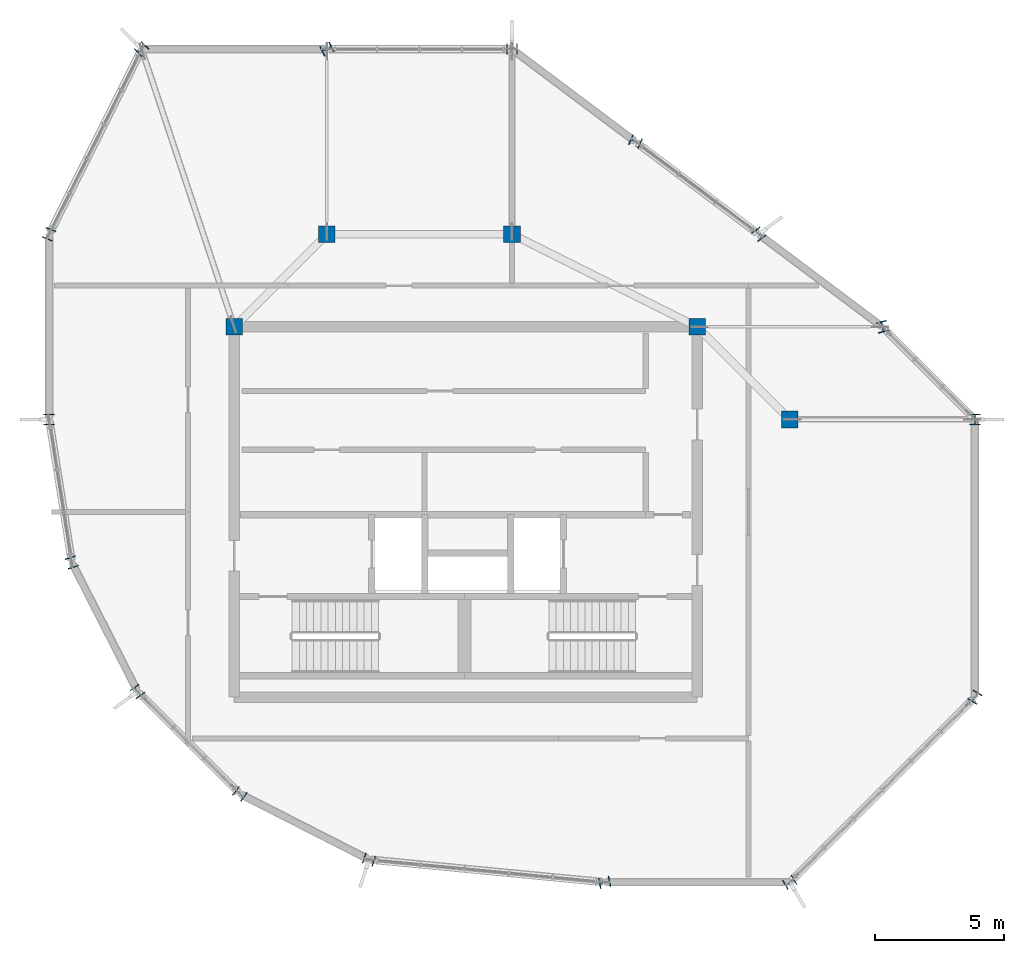
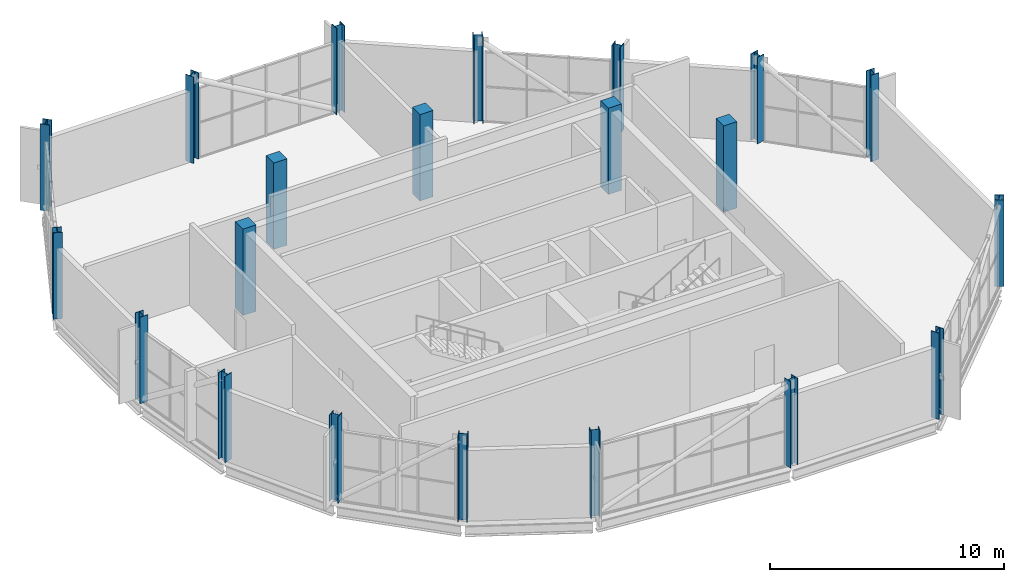
# One storey, part 1 of 22: 21 columns.
"""IFC4 building model written with IfcOpenShell, lengths in metres."""

from ifc_helpers import new_model, si_unit, direction, frame, origin, origin_2d, place, context, subcontext, project, spatial, rectangle, i_section, extrude, material, material_profile, profile_set, type_object, element, save


model = new_model("IFC4")

# Units and contexts
model_context = context("Model", 3, precision=1e-05, world=origin(), true_north=direction((0.0, 1.0)))
body_context = subcontext(model_context, "Body", "Model", "MODEL_VIEW")
ifc_project = project(units=[si_unit("LENGTHUNIT", "METRE"), si_unit("AREAUNIT", "SQUARE_METRE"), si_unit("VOLUMEUNIT", "CUBIC_METRE"), si_unit("PLANEANGLEUNIT", "RADIAN"), si_unit("MASSUNIT", "GRAM", prefix="KILO")], contexts=[model_context])

# Site, building, storey
site_placement = place(None, origin())
site = spatial("IfcSite", under=ifc_project, at=site_placement, CompositionType="ELEMENT")
building_placement = place(site_placement, origin())
building = spatial("IfcBuilding", under=site, at=building_placement, Name="Solnavia Interchange Tower", CompositionType="ELEMENT")
storey_placement = place(building_placement, frame((0.0, 0.0, 317.699951171875)))
storey = spatial("IfcBuildingStorey", under=building, at=storey_placement, Name="C04", CompositionType="ELEMENT", Elevation=317.699951171875)

# Columns
ifc_material_1 = material(Name="Concrete C50/60", Category="concrete")
ifc_material_profile_1 = material_profile(ifc_material_1, rectangle(XDim=0.64990234375, YDim=0.64990234375, at=origin_2d()), Name="RC 650x650")
ifc_profile_set_1 = profile_set([ifc_material_profile_1], Name="Concrete C50/60")
column_type_1 = type_object("IfcColumnType", Name="Col-RC-650x650", PredefinedType="COLUMN", material=ifc_profile_set_1)
for number, where, z_axis, x_axis, name in (
    (1, (36.0, 21.60009765625, 0.0), (0.0, 0.0, 1.0), (1.0, 0.0, 0.0), "COL-C04-IN01 Crown inner plant column"),
    (2, (32.39990234375, 25.199951171875, 0.0), (0.0, 0.0, 1.0), (1.0, 0.0, 0.0), "COL-C04-IN02 Crown inner plant column"),
    (3, (25.199951171875, 28.800048828125, 0.0), (0.0, 0.0, 1.0), (1.0, 0.0, 0.0), "COL-C04-IN03 Crown inner plant column"),
    (4, (18.0, 28.800048828125, 0.0), (0.0, 0.0, 1.0), (1.0, 0.0, 0.0), "COL-C04-IN04 Crown inner plant column"),
    (5, (14.39990234375, 25.199951171875, 0.0), (0.0, 0.0, 1.0), (1.0, 0.0, 0.0), "COL-C04-IN05 Crown inner plant column"),
):
    element("IfcColumn", number, at=place(storey_placement, frame(where, z_axis=z_axis, x_axis=x_axis)), inside=storey, type_object=column_type_1, Name=name, PredefinedType="COLUMN", context=body_context, shape_type="SweptSolid", body=[
        extrude(rectangle(XDim=0.64990234375, YDim=0.64990234375, at=origin_2d()), origin(), (0.0, 0.0, 1.0), 4.5),
    ])
ifc_material_2 = material(Name="Steel S460", Category="steel")
ifc_material_profile_2 = material_profile(ifc_material_2, i_section(OverallWidth=0.405029296875, OverallDepth=0.4169921875, WebThickness=0.01806640625, FlangeThickness=0.028564453125, FilletRadius=0.014892578125, at=origin_2d()), Name="HD 400x262")
ifc_profile_set_2 = profile_set([ifc_material_profile_2], Name="Steel S460")
column_type_2 = type_object("IfcColumnType", Name="CrownFrame-Col-HD400x262", PredefinedType="COLUMN", material=ifc_profile_set_2)
for number, where, z_axis, x_axis, name in (
    (6, (43.199951171875, 21.60009765625, 0.0), (0.0, 0.0, 1.0), (1.0, 0.0, 0.0), "COL-C04-CF01 CROWN FRAME ring column"),
    (7, (39.60009765625, 25.199951171875, 0.0), (0.0, 0.0, 1.0), (0.97012659649, 0.242599230795, 0.0), "COL-C04-CF02 CROWN FRAME ring column"),
    (8, (34.800048828125, 28.800048828125, 0.0), (0.0, 0.0, 1.0), (0.799998928149, 0.600001429133, 0.0), "COL-C04-CF03 CROWN FRAME ring column"),
    (9, (30.0, 32.39990234375, 0.0), (0.0, 0.0, 1.0), (0.406098768964, 0.913829190738, 0.0), "COL-C04-CF04 CROWN FRAME ring column"),
    (10, (25.199951171875, 36.0, 0.0), (0.0, 0.0, 1.0), (0.0, 1.0, 0.0), "COL-C04-CF05 CROWN FRAME ring column"),
    (11, (18.0, 36.0, 0.0), (0.0, 0.0, 1.0), (-0.447290848419, 0.89438856037, 0.0), "COL-C04-CF06 CROWN FRAME ring column"),
    (12, (10.800048828125, 36.0, 0.0), (0.0, 0.0, 1.0), (-0.707106781187, 0.707106781187, 0.0), "COL-C04-CF07 CROWN FRAME ring column"),
    (13, (7.199951171875, 28.800048828125, 0.0), (0.0, 0.0, 1.0), (-0.928485826881, 0.37136783555, 0.0), "COL-C04-CF08 CROWN FRAME ring column"),
    (14, (7.199951171875, 21.60009765625, 0.0), (0.0, 0.0, 1.0), (-1.0, 0.0, 0.0), "COL-C04-CF09 CROWN FRAME ring column"),
    (15, (8.0810546875, 16.0380859375, 0.0), (0.0, 0.0, 1.0), (-0.951056516295, -0.309016994375, 0.0), "COL-C04-CF10 CROWN FRAME ring column"),
    (16, (10.637939453125, 11.02001953125, 0.0), (0.0, 0.0, 1.0), (-0.809016994375, -0.587785252292, 0.0), "COL-C04-CF11 CROWN FRAME ring column"),
    (17, (14.6201171875, 7.0380859375, 0.0), (0.0, 0.0, 1.0), (-0.587785252292, -0.809016994375, 0.0), "COL-C04-CF12 CROWN FRAME ring column"),
    (18, (19.637939453125, 4.48095703125, 0.0), (0.0, 0.0, 1.0), (-0.309016994375, -0.951056516295, 0.0), "COL-C04-CF13 CROWN FRAME ring column"),
    (19, (28.800048828125, 3.60009765625, 0.0), (0.0, 0.0, 1.0), (0.196117290802, -0.980580444557, 0.0), "COL-C04-CF14 CROWN FRAME ring column"),
    (20, (36.0, 3.60009765625, 0.0), (0.0, 0.0, 1.0), (0.514439533782, -0.857526656194, 0.0), "COL-C04-CF15 CROWN FRAME ring column"),
    (21, (43.199951171875, 10.800048828125, 0.0), (0.0, 0.0, 1.0), (0.857526656194, -0.514439533782, 0.0), "COL-C04-CF16 CROWN FRAME ring column"),
):
    element("IfcColumn", number, at=place(storey_placement, frame(where, z_axis=z_axis, x_axis=x_axis)), inside=storey, type_object=column_type_2, Name=name, PredefinedType="COLUMN", context=body_context, shape_type="SweptSolid", body=[
        extrude(i_section(OverallWidth=0.405029296875, OverallDepth=0.4169921875, WebThickness=0.01806640625, FlangeThickness=0.028564453125, FilletRadius=0.014892578125, at=origin_2d()), origin(), (0.0, 0.0, 1.0), 4.5),
    ])

save(model, "model.ifc")
